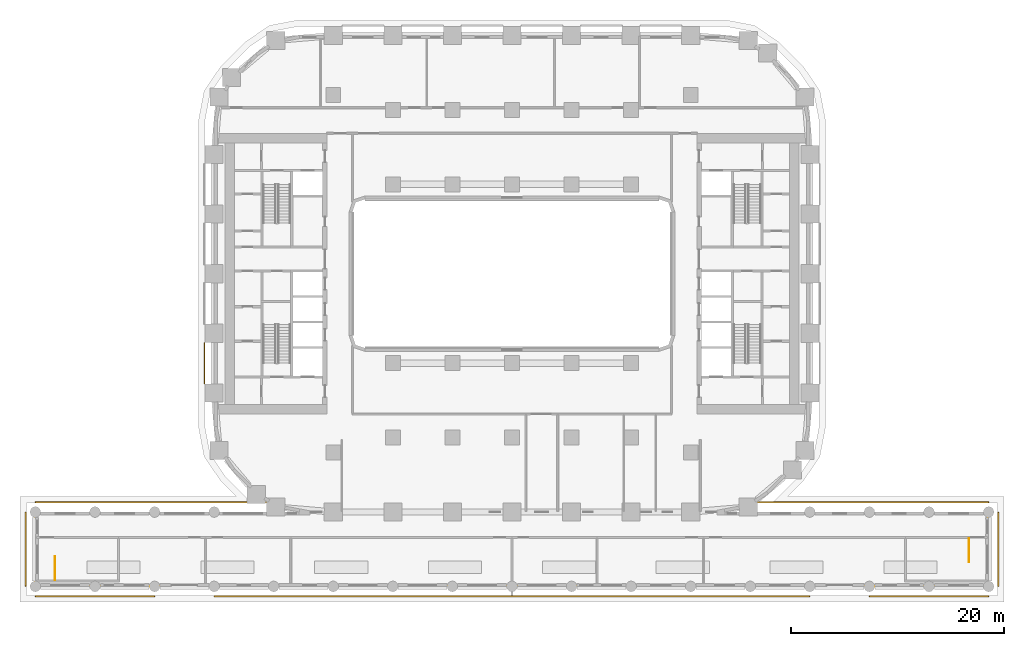
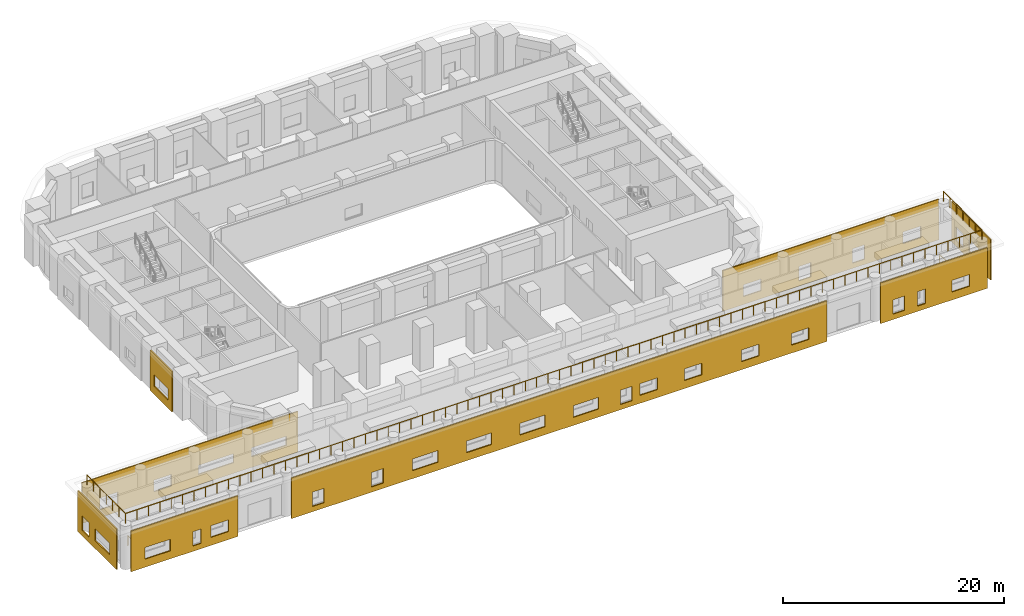
# One storey, part 9 of 13: 8 coverings, 3 railings.
"""IFC4 building model written with IfcOpenShell, lengths in metres."""

from ifc_helpers import new_model, si_unit, direction, frame, origin, origin_2d, place, context, subcontext, project, spatial, polyline, circle, outline, extrude, material, layer, layer_set, type_object, element, save


model = new_model("IFC4")

# Units and contexts
model_context = context("Model", 3, precision=1e-05, world=origin(), true_north=direction((0.0, 1.0)))
body_context = subcontext(model_context, "Body", "Model", "MODEL_VIEW")
ifc_project = project(units=[si_unit("LENGTHUNIT", "METRE"), si_unit("AREAUNIT", "SQUARE_METRE"), si_unit("VOLUMEUNIT", "CUBIC_METRE"), si_unit("PLANEANGLEUNIT", "RADIAN"), si_unit("MASSUNIT", "GRAM", prefix="KILO")], contexts=[model_context])

# Site, building, storey
site_placement = place(None, origin())
site = spatial("IfcSite", under=ifc_project, at=site_placement, CompositionType="ELEMENT")
building_placement = place(site_placement, origin())
building = spatial("IfcBuilding", under=site, at=building_placement, Name="Kiln Ring Residences", CompositionType="ELEMENT")
storey_placement = place(building_placement, frame((0.0, 0.0, 25.699951171875)))
storey = spatial("IfcBuildingStorey", under=building, at=storey_placement, Name="L05", CompositionType="ELEMENT", Elevation=25.699951171875)

# Railings
ifc_material_1 = material(Name="Stainless steel", Category="steel")
railing_type_1 = type_object("IfcRailingType", Name="PODIUM-STAIR-GUARD", PredefinedType="GUARDRAIL", material=ifc_material_1)
railing_1_placement = place(storey_placement, frame((-42.949951171875, -28.800048828125, 0.0)))
element("IfcRailing", 1, at=railing_1_placement, inside=storey, type_object=railing_type_1, Name="L05 PS-W top well guard 1", PredefinedType="GUARDRAIL", context=body_context, shape_type="SweptSolid", body=[
    extrude(circle(Radius=0.02392578125, at=origin_2d()), frame((0.0, 0.0, 1.076171875), z_axis=(0.0, 1.0, 0.0), x_axis=(-1.0, 0.0, 0.0)), (0.0, 0.0, 1.0), 2.199951171875),
    extrude(circle(Radius=0.02099609375, at=origin_2d()), origin(), (0.0, 0.0, 1.0), 1.052001953125),
    extrude(circle(Radius=0.02099609375, at=origin_2d()), frame((0.0, 1.10009765625, 0.0)), (0.0, 0.0, 1.0), 1.052001953125),
    extrude(circle(Radius=0.02099609375, at=origin_2d()), frame((0.0, 2.199951171875, 0.0)), (0.0, 0.0, 1.0), 1.052001953125),
])
railing_2_placement = place(storey_placement, frame((42.949951171875, -24.89990234375, 0.0)))
element("IfcRailing", 2, at=railing_2_placement, inside=storey, type_object=railing_type_1, Name="L05 PS-E top well guard 1", PredefinedType="GUARDRAIL", context=body_context, shape_type="SweptSolid", body=[
    extrude(circle(Radius=0.02392578125, at=origin_2d()), frame((0.0, 0.0, 1.076171875), z_axis=(0.0, -1.0, 0.0), x_axis=(1.0, 0.0, 0.0)), (0.0, 0.0, 1.0), 2.2001953125),
    extrude(circle(Radius=0.02099609375, at=origin_2d()), origin(), (0.0, 0.0, 1.0), 1.052001953125),
    extrude(circle(Radius=0.02099609375, at=origin_2d()), frame((0.0, -1.10009765625, 0.0)), (0.0, 0.0, 1.0), 1.052001953125),
    extrude(circle(Radius=0.02099609375, at=origin_2d()), frame((0.0, -2.2001953125, 0.0)), (0.0, 0.0, 1.0), 1.052001953125),
])

# Coverings
ifc_material_2 = material(Name="Brick masonry, dark clay brick", Category="masonry")
ifc_layer = layer(ifc_material_2, 0.1201171875)
ifc_layer_set = layer_set([ifc_layer], Name="RAINSCREEN PANEL 120")
covering_type = type_object("IfcCoveringType", Name="RAINSCREEN PANEL 120", PredefinedType="CLADDING", material=ifc_layer_set)
covering_1_placement = place(storey_placement, frame((45.7099609375, -29.39990234375, 0.0), z_axis=(0.0, 0.0, 1.0), x_axis=(0.0, 1.0, 0.0)))
element("IfcCovering", 3, at=covering_1_placement, inside=storey, type_object=covering_type, Name="RAINSCREEN L05", PredefinedType="CLADDING", context=body_context, shape_type="SweptSolid", body=[
    extrude(outline(polyline([(0.0, 0.0), (7.0, 0.0), (7.0, 4.5), (0.0, 4.5), (0.0, 0.0)]), holes=[polyline([(6.20751953125, 2.170166015625), (4.967529296875, 2.170166015625), (4.967529296875, 0.580078125), (6.20751953125, 0.580078125), (6.20751953125, 2.170166015625)]), polyline([(3.8701171875, 2.170166015625), (1.22998046875, 2.170166015625), (1.22998046875, 0.880126953125), (3.8701171875, 0.880126953125), (3.8701171875, 2.170166015625)])]), frame((0.0, 0.06005859375, 0.0), z_axis=(0.0, -1.0, 0.0), x_axis=(1.0, 0.0, 0.0)), (0.0, 0.0, 1.0), 0.1201171875),
])
covering_2_placement = place(storey_placement, frame((44.800048828125, -21.489990234375, 0.0), z_axis=(0.0, 0.0, 1.0), x_axis=(-1.0, 0.0, 0.0)))
element("IfcCovering", 4, at=covering_2_placement, inside=storey, type_object=covering_type, Name="RAINSCREEN L05", PredefinedType="CLADDING", context=body_context, shape_type="SweptSolid", body=[
    extrude(outline(polyline([(0.0, 0.0), (22.59130859375, 0.0), (22.59130859375, 4.5), (0.0, 4.5), (0.0, 0.0)]), holes=[polyline([(9.02001953125, 0.580078125), (9.02001953125, 2.170166015625), (7.780029296875, 2.170166015625), (7.780029296875, 0.580078125), (9.02001953125, 0.580078125)]), polyline([(14.6201171875, 0.580078125), (14.6201171875, 2.170166015625), (13.3798828125, 2.170166015625), (13.3798828125, 0.580078125), (14.6201171875, 0.580078125)]), polyline([(3.719970703125, 0.880126953125), (3.719970703125, 2.170166015625), (1.8798828125, 2.170166015625), (1.8798828125, 0.880126953125), (3.719970703125, 0.880126953125)]), polyline([(20.440673828125, 0.880126953125), (20.440673828125, 2.170166015625), (18.6005859375, 2.170166015625), (18.6005859375, 0.880126953125), (20.440673828125, 0.880126953125)])]), frame((0.0, 0.06005859375, 0.0), z_axis=(0.0, -1.0, 0.0), x_axis=(1.0, 0.0, 0.0)), (0.0, 0.0, 1.0), 0.1201171875),
])
covering_3_placement = place(storey_placement, frame((-28.909912109375, -6.449951171875, 0.0), z_axis=(0.0, 0.0, 1.0), x_axis=(0.0, -1.0, 0.0)))
element("IfcCovering", 5, at=covering_3_placement, inside=storey, type_object=covering_type, Name="RAINSCREEN L05", PredefinedType="CLADDING", context=body_context, shape_type="SweptSolid", body=[
    extrude(outline(polyline([(0.0, 0.0), (3.89990234375, 0.0), (3.89990234375, 4.5), (0.0, 4.5), (0.0, 0.0)]), holes=[polyline([(0.64990234375, 2.150146484375), (0.64990234375, 0.900146484375), (3.25, 0.900146484375), (3.25, 2.150146484375), (0.64990234375, 2.150146484375)])]), frame((0.0, 0.06005859375, 0.0), z_axis=(0.0, -1.0, 0.0), x_axis=(1.0, 0.0, 0.0)), (0.0, 0.0, 1.0), 0.1201171875),
])
covering_4_placement = place(storey_placement, frame((-22.208740234375, -21.489990234375, 0.0), z_axis=(0.0, 0.0, 1.0), x_axis=(-1.0, 0.0, 0.0)))
element("IfcCovering", 6, at=covering_4_placement, inside=storey, type_object=covering_type, Name="RAINSCREEN L05", PredefinedType="CLADDING", context=body_context, shape_type="SweptSolid", body=[
    extrude(outline(polyline([(0.0, 0.0), (22.59130859375, 0.0), (22.59130859375, 4.5), (0.0, 4.5), (0.0, 0.0)]), holes=[polyline([(15.111328125, 0.880126953125), (15.111328125, 2.170166015625), (13.271240234375, 2.170166015625), (13.271240234375, 0.880126953125), (15.111328125, 0.880126953125)]), polyline([(20.711181640625, 0.880126953125), (20.711181640625, 2.170166015625), (18.871337890625, 2.170166015625), (18.871337890625, 0.880126953125), (20.711181640625, 0.880126953125)]), polyline([(4.890625, 1.179931640625), (4.890625, 2.170166015625), (1.25048828125, 2.170166015625), (1.25048828125, 1.179931640625), (4.890625, 1.179931640625)]), polyline([(10.411376953125, 1.179931640625), (10.411376953125, 2.170166015625), (6.771240234375, 2.170166015625), (6.771240234375, 1.179931640625), (10.411376953125, 1.179931640625)])]), frame((0.0, 0.06005859375, 0.0), z_axis=(0.0, -1.0, 0.0), x_axis=(1.0, 0.0, 0.0)), (0.0, 0.0, 1.0), 0.1201171875),
])
covering_5_placement = place(storey_placement, frame((-45.7099609375, -22.39990234375, 0.0), z_axis=(0.0, 0.0, 1.0), x_axis=(0.0, -1.0, 0.0)))
element("IfcCovering", 7, at=covering_5_placement, inside=storey, type_object=covering_type, Name="RAINSCREEN L05", PredefinedType="CLADDING", context=body_context, shape_type="SweptSolid", body=[
    extrude(outline(polyline([(0.0, 0.0), (7.0, 0.0), (7.0, 4.5), (0.0, 4.5), (0.0, 0.0)]), holes=[polyline([(2.032470703125, 2.170166015625), (0.79248046875, 2.170166015625), (0.79248046875, 0.580078125), (2.032470703125, 0.580078125), (2.032470703125, 2.170166015625)]), polyline([(5.77001953125, 2.170166015625), (3.1298828125, 2.170166015625), (3.1298828125, 0.880126953125), (5.77001953125, 0.880126953125), (5.77001953125, 2.170166015625)])]), frame((0.0, 0.06005859375, 0.0), z_axis=(0.0, -1.0, 0.0), x_axis=(1.0, 0.0, 0.0)), (0.0, 0.0, 1.0), 0.1201171875),
])
covering_6_placement = place(storey_placement, frame((-44.800048828125, -30.31005859375, 0.0), z_axis=(0.0, 0.0, 1.0), x_axis=(1.0, 0.0, 0.0)))
element("IfcCovering", 8, at=covering_6_placement, inside=storey, type_object=covering_type, Name="RAINSCREEN L05", PredefinedType="CLADDING", context=body_context, shape_type="SweptSolid", body=[
    extrude(outline(polyline([(0.0, 0.0), (11.199951171875, 0.0), (11.199951171875, 4.5), (0.0, 4.5), (0.0, 0.0)]), holes=[polyline([(7.33251953125, 2.170166015625), (6.492431640625, 2.170166015625), (6.492431640625, 0.580078125), (7.33251953125, 0.580078125), (7.33251953125, 2.170166015625)]), polyline([(4.1201171875, 0.880126953125), (4.1201171875, 2.170166015625), (1.47998046875, 2.170166015625), (1.47998046875, 0.880126953125), (4.1201171875, 0.880126953125)]), polyline([(10.20751953125, 0.880126953125), (10.20751953125, 2.170166015625), (8.367431640625, 2.170166015625), (8.367431640625, 0.880126953125), (10.20751953125, 0.880126953125)])]), frame((0.0, 0.06005859375, 0.0), z_axis=(0.0, -1.0, 0.0), x_axis=(1.0, 0.0, 0.0)), (0.0, 0.0, 1.0), 0.1201171875),
])
covering_7_placement = place(storey_placement, frame((-28.0, -30.31005859375, 0.0), z_axis=(0.0, 0.0, 1.0), x_axis=(1.0, 0.0, 0.0)))
element("IfcCovering", 9, at=covering_7_placement, inside=storey, type_object=covering_type, Name="RAINSCREEN L05", PredefinedType="CLADDING", context=body_context, shape_type="SweptSolid", body=[
    extrude(outline(polyline([(0.0, 0.0), (56.0, 0.0), (56.0, 4.5), (0.0, 4.5), (0.0, 0.0)]), holes=[polyline([(2.179931640625, 0.580078125), (3.419921875, 0.580078125), (3.419921875, 2.170166015625), (2.179931640625, 2.170166015625), (2.179931640625, 0.580078125)]), polyline([(8.367431640625, 0.580078125), (9.607421875, 0.580078125), (9.607421875, 2.170166015625), (8.367431640625, 2.170166015625), (8.367431640625, 0.580078125)]), polyline([(12.679931640625, 0.880126953125), (15.320068359375, 0.880126953125), (15.320068359375, 2.170166015625), (12.679931640625, 2.170166015625), (12.679931640625, 0.880126953125)]), polyline([(18.280029296875, 2.170166015625), (18.280029296875, 0.880126953125), (20.919921875, 0.880126953125), (20.919921875, 2.170166015625), (18.280029296875, 2.170166015625)]), polyline([(23.8798828125, 2.170166015625), (23.8798828125, 0.880126953125), (26.52001953125, 0.880126953125), (26.52001953125, 2.170166015625), (23.8798828125, 2.170166015625)]), polyline([(29.47998046875, 0.880126953125), (32.1201171875, 0.880126953125), (32.1201171875, 2.170166015625), (29.47998046875, 2.170166015625), (29.47998046875, 0.880126953125)]), polyline([(34.392578125, 2.170166015625), (34.392578125, 0.580078125), (35.632568359375, 0.580078125), (35.632568359375, 2.170166015625), (34.392578125, 2.170166015625)]), polyline([(36.467529296875, 2.170166015625), (36.467529296875, 0.880126953125), (38.3076171875, 0.880126953125), (38.3076171875, 2.170166015625), (36.467529296875, 2.170166015625)]), polyline([(41.080078125, 0.880126953125), (42.919921875, 0.880126953125), (42.919921875, 2.170166015625), (41.080078125, 2.170166015625), (41.080078125, 0.880126953125)]), polyline([(47.0673828125, 2.170166015625), (47.0673828125, 0.880126953125), (48.907470703125, 0.880126953125), (48.907470703125, 2.170166015625), (47.0673828125, 2.170166015625)]), polyline([(52.280029296875, 2.170166015625), (52.280029296875, 0.880126953125), (54.1201171875, 0.880126953125), (54.1201171875, 2.170166015625), (52.280029296875, 2.170166015625)])]), frame((0.0, 0.06005859375, 0.0), z_axis=(0.0, -1.0, 0.0), x_axis=(1.0, 0.0, 0.0)), (0.0, 0.0, 1.0), 0.1201171875),
])
covering_8_placement = place(storey_placement, frame((33.60009765625, -30.31005859375, 0.0), z_axis=(0.0, 0.0, 1.0), x_axis=(1.0, 0.0, 0.0)))
element("IfcCovering", 10, at=covering_8_placement, inside=storey, type_object=covering_type, Name="RAINSCREEN L05", PredefinedType="CLADDING", context=body_context, shape_type="SweptSolid", body=[
    extrude(outline(polyline([(0.0, 0.0), (11.199951171875, 0.0), (11.199951171875, 4.5), (0.0, 4.5), (0.0, 0.0)]), holes=[polyline([(2.532470703125, 2.170166015625), (1.29248046875, 2.170166015625), (1.29248046875, 0.580078125), (2.532470703125, 0.580078125), (2.532470703125, 2.170166015625)]), polyline([(4.70751953125, 0.580078125), (4.70751953125, 2.170166015625), (3.867431640625, 2.170166015625), (3.867431640625, 0.580078125), (4.70751953125, 0.580078125)]), polyline([(9.320068359375, 0.880126953125), (9.320068359375, 2.170166015625), (7.47998046875, 2.170166015625), (7.47998046875, 0.880126953125), (9.320068359375, 0.880126953125)])]), frame((0.0, 0.06005859375, 0.0), z_axis=(0.0, -1.0, 0.0), x_axis=(1.0, 0.0, 0.0)), (0.0, 0.0, 1.0), 0.1201171875),
])

# Railing
ifc_material_3 = material(Name="Black powder-coated steel", Category="steel")
railing_type_2 = type_object("IfcRailingType", Name="TERRACE GUARD 1100", PredefinedType="GUARDRAIL", material=ifc_material_3)
railing_3_placement = place(storey_placement, frame((-44.800048828125, -22.39990234375, 4.800048828125)))
element("IfcRailing", 11, at=railing_3_placement, inside=storey, type_object=railing_type_2, Name="GUARD terrace L05", PredefinedType="GUARDRAIL", context=body_context, shape_type="SweptSolid", body=[
    extrude(circle(Radius=0.02392578125, at=origin_2d()), frame((0.0, 0.0, 1.076171875), z_axis=(0.0, -1.0, 0.0), x_axis=(1.0, 0.0, 0.0)), (0.0, 0.0, 1.0), 7.0),
    extrude(circle(Radius=0.02392578125, at=origin_2d()), frame((0.0, -7.0, 1.076171875), z_axis=(1.0, 0.0, 0.0), x_axis=(0.0, 1.0, 0.0)), (0.0, 0.0, 1.0), 89.60009765625),
    extrude(circle(Radius=0.02392578125, at=origin_2d()), frame((89.60009765625, -7.0, 1.076171875), z_axis=(0.0, 1.0, 0.0), x_axis=(-1.0, 0.0, 0.0)), (0.0, 0.0, 1.0), 7.0),
    extrude(circle(Radius=0.02099609375, at=origin_2d()), origin(), (0.0, 0.0, 1.0), 1.052001953125),
    extrude(circle(Radius=0.02099609375, at=origin_2d()), frame((0.0, -1.166748046875, 0.0)), (0.0, 0.0, 1.0), 1.052001953125),
    extrude(circle(Radius=0.02099609375, at=origin_2d()), frame((0.0, -2.333251953125, 0.0)), (0.0, 0.0, 1.0), 1.052001953125),
    extrude(circle(Radius=0.02099609375, at=origin_2d()), frame((0.0, -3.5, 0.0)), (0.0, 0.0, 1.0), 1.052001953125),
    extrude(circle(Radius=0.02099609375, at=origin_2d()), frame((0.0, -4.666748046875, 0.0)), (0.0, 0.0, 1.0), 1.052001953125),
    extrude(circle(Radius=0.02099609375, at=origin_2d()), frame((0.0, -5.833251953125, 0.0)), (0.0, 0.0, 1.0), 1.052001953125),
    extrude(circle(Radius=0.02099609375, at=origin_2d()), frame((0.0, -7.0, 0.0)), (0.0, 0.0, 1.0), 1.052001953125),
    extrude(circle(Radius=0.02099609375, at=origin_2d()), frame((1.194580078125, -7.0, 0.0)), (0.0, 0.0, 1.0), 1.052001953125),
    extrude(circle(Radius=0.02099609375, at=origin_2d()), frame((2.389404296875, -7.0, 0.0)), (0.0, 0.0, 1.0), 1.052001953125),
    extrude(circle(Radius=0.02099609375, at=origin_2d()), frame((3.583984375, -7.0, 0.0)), (0.0, 0.0, 1.0), 1.052001953125),
    extrude(circle(Radius=0.02099609375, at=origin_2d()), frame((4.778564453125, -7.0, 0.0)), (0.0, 0.0, 1.0), 1.052001953125),
    extrude(circle(Radius=0.02099609375, at=origin_2d()), frame((5.973388671875, -7.0, 0.0)), (0.0, 0.0, 1.0), 1.052001953125),
    extrude(circle(Radius=0.02099609375, at=origin_2d()), frame((7.16796875, -7.0, 0.0)), (0.0, 0.0, 1.0), 1.052001953125),
    extrude(circle(Radius=0.02099609375, at=origin_2d()), frame((8.36279296875, -7.0, 0.0)), (0.0, 0.0, 1.0), 1.052001953125),
    extrude(circle(Radius=0.02099609375, at=origin_2d()), frame((9.557373046875, -7.0, 0.0)), (0.0, 0.0, 1.0), 1.052001953125),
    extrude(circle(Radius=0.02099609375, at=origin_2d()), frame((10.751953125, -7.0, 0.0)), (0.0, 0.0, 1.0), 1.052001953125),
    extrude(circle(Radius=0.02099609375, at=origin_2d()), frame((11.94677734375, -7.0, 0.0)), (0.0, 0.0, 1.0), 1.052001953125),
    extrude(circle(Radius=0.02099609375, at=origin_2d()), frame((13.141357421875, -7.0, 0.0)), (0.0, 0.0, 1.0), 1.052001953125),
    extrude(circle(Radius=0.02099609375, at=origin_2d()), frame((14.3359375, -7.0, 0.0)), (0.0, 0.0, 1.0), 1.052001953125),
    extrude(circle(Radius=0.02099609375, at=origin_2d()), frame((15.53076171875, -7.0, 0.0)), (0.0, 0.0, 1.0), 1.052001953125),
    extrude(circle(Radius=0.02099609375, at=origin_2d()), frame((16.725341796875, -7.0, 0.0)), (0.0, 0.0, 1.0), 1.052001953125),
    extrude(circle(Radius=0.02099609375, at=origin_2d()), frame((17.919921875, -7.0, 0.0)), (0.0, 0.0, 1.0), 1.052001953125),
    extrude(circle(Radius=0.02099609375, at=origin_2d()), frame((19.11474609375, -7.0, 0.0)), (0.0, 0.0, 1.0), 1.052001953125),
    extrude(circle(Radius=0.02099609375, at=origin_2d()), frame((20.309326171875, -7.0, 0.0)), (0.0, 0.0, 1.0), 1.052001953125),
    extrude(circle(Radius=0.02099609375, at=origin_2d()), frame((21.50390625, -7.0, 0.0)), (0.0, 0.0, 1.0), 1.052001953125),
    extrude(circle(Radius=0.02099609375, at=origin_2d()), frame((22.69873046875, -7.0, 0.0)), (0.0, 0.0, 1.0), 1.052001953125),
    extrude(circle(Radius=0.02099609375, at=origin_2d()), frame((23.893310546875, -7.0, 0.0)), (0.0, 0.0, 1.0), 1.052001953125),
    extrude(circle(Radius=0.02099609375, at=origin_2d()), frame((25.088134765625, -7.0, 0.0)), (0.0, 0.0, 1.0), 1.052001953125),
    extrude(circle(Radius=0.02099609375, at=origin_2d()), frame((26.28271484375, -7.0, 0.0)), (0.0, 0.0, 1.0), 1.052001953125),
    extrude(circle(Radius=0.02099609375, at=origin_2d()), frame((27.477294921875, -7.0, 0.0)), (0.0, 0.0, 1.0), 1.052001953125),
    extrude(circle(Radius=0.02099609375, at=origin_2d()), frame((28.672119140625, -7.0, 0.0)), (0.0, 0.0, 1.0), 1.052001953125),
    extrude(circle(Radius=0.02099609375, at=origin_2d()), frame((29.86669921875, -7.0, 0.0)), (0.0, 0.0, 1.0), 1.052001953125),
    extrude(circle(Radius=0.02099609375, at=origin_2d()), frame((31.061279296875, -7.0, 0.0)), (0.0, 0.0, 1.0), 1.052001953125),
    extrude(circle(Radius=0.02099609375, at=origin_2d()), frame((32.256103515625, -7.0, 0.0)), (0.0, 0.0, 1.0), 1.052001953125),
    extrude(circle(Radius=0.02099609375, at=origin_2d()), frame((33.45068359375, -7.0, 0.0)), (0.0, 0.0, 1.0), 1.052001953125),
    extrude(circle(Radius=0.02099609375, at=origin_2d()), frame((34.645263671875, -7.0, 0.0)), (0.0, 0.0, 1.0), 1.052001953125),
    extrude(circle(Radius=0.02099609375, at=origin_2d()), frame((35.840087890625, -7.0, 0.0)), (0.0, 0.0, 1.0), 1.052001953125),
    extrude(circle(Radius=0.02099609375, at=origin_2d()), frame((37.03466796875, -7.0, 0.0)), (0.0, 0.0, 1.0), 1.052001953125),
    extrude(circle(Radius=0.02099609375, at=origin_2d()), frame((38.2294921875, -7.0, 0.0)), (0.0, 0.0, 1.0), 1.052001953125),
    extrude(circle(Radius=0.02099609375, at=origin_2d()), frame((39.424072265625, -7.0, 0.0)), (0.0, 0.0, 1.0), 1.052001953125),
    extrude(circle(Radius=0.02099609375, at=origin_2d()), frame((40.61865234375, -7.0, 0.0)), (0.0, 0.0, 1.0), 1.052001953125),
    extrude(circle(Radius=0.02099609375, at=origin_2d()), frame((41.8134765625, -7.0, 0.0)), (0.0, 0.0, 1.0), 1.052001953125),
    extrude(circle(Radius=0.02099609375, at=origin_2d()), frame((43.008056640625, -7.0, 0.0)), (0.0, 0.0, 1.0), 1.052001953125),
    extrude(circle(Radius=0.02099609375, at=origin_2d()), frame((44.20263671875, -7.0, 0.0)), (0.0, 0.0, 1.0), 1.052001953125),
    extrude(circle(Radius=0.02099609375, at=origin_2d()), frame((45.3974609375, -7.0, 0.0)), (0.0, 0.0, 1.0), 1.052001953125),
    extrude(circle(Radius=0.02099609375, at=origin_2d()), frame((46.592041015625, -7.0, 0.0)), (0.0, 0.0, 1.0), 1.052001953125),
    extrude(circle(Radius=0.02099609375, at=origin_2d()), frame((47.78662109375, -7.0, 0.0)), (0.0, 0.0, 1.0), 1.052001953125),
    extrude(circle(Radius=0.02099609375, at=origin_2d()), frame((48.9814453125, -7.0, 0.0)), (0.0, 0.0, 1.0), 1.052001953125),
    extrude(circle(Radius=0.02099609375, at=origin_2d()), frame((50.176025390625, -7.0, 0.0)), (0.0, 0.0, 1.0), 1.052001953125),
    extrude(circle(Radius=0.02099609375, at=origin_2d()), frame((51.37060546875, -7.0, 0.0)), (0.0, 0.0, 1.0), 1.052001953125),
    extrude(circle(Radius=0.02099609375, at=origin_2d()), frame((52.5654296875, -7.0, 0.0)), (0.0, 0.0, 1.0), 1.052001953125),
    extrude(circle(Radius=0.02099609375, at=origin_2d()), frame((53.760009765625, -7.0, 0.0)), (0.0, 0.0, 1.0), 1.052001953125),
    extrude(circle(Radius=0.02099609375, at=origin_2d()), frame((54.954833984375, -7.0, 0.0)), (0.0, 0.0, 1.0), 1.052001953125),
    extrude(circle(Radius=0.02099609375, at=origin_2d()), frame((56.1494140625, -7.0, 0.0)), (0.0, 0.0, 1.0), 1.052001953125),
    extrude(circle(Radius=0.02099609375, at=origin_2d()), frame((57.343994140625, -7.0, 0.0)), (0.0, 0.0, 1.0), 1.052001953125),
    extrude(circle(Radius=0.02099609375, at=origin_2d()), frame((58.538818359375, -7.0, 0.0)), (0.0, 0.0, 1.0), 1.052001953125),
    extrude(circle(Radius=0.02099609375, at=origin_2d()), frame((59.7333984375, -7.0, 0.0)), (0.0, 0.0, 1.0), 1.052001953125),
    extrude(circle(Radius=0.02099609375, at=origin_2d()), frame((60.927978515625, -7.0, 0.0)), (0.0, 0.0, 1.0), 1.052001953125),
    extrude(circle(Radius=0.02099609375, at=origin_2d()), frame((62.122802734375, -7.0, 0.0)), (0.0, 0.0, 1.0), 1.052001953125),
    extrude(circle(Radius=0.02099609375, at=origin_2d()), frame((63.3173828125, -7.0, 0.0)), (0.0, 0.0, 1.0), 1.052001953125),
    extrude(circle(Radius=0.02099609375, at=origin_2d()), frame((64.511962890625, -7.0, 0.0)), (0.0, 0.0, 1.0), 1.052001953125),
    extrude(circle(Radius=0.02099609375, at=origin_2d()), frame((65.706787109375, -7.0, 0.0)), (0.0, 0.0, 1.0), 1.052001953125),
    extrude(circle(Radius=0.02099609375, at=origin_2d()), frame((66.9013671875, -7.0, 0.0)), (0.0, 0.0, 1.0), 1.052001953125),
    extrude(circle(Radius=0.02099609375, at=origin_2d()), frame((68.09619140625, -7.0, 0.0)), (0.0, 0.0, 1.0), 1.052001953125),
    extrude(circle(Radius=0.02099609375, at=origin_2d()), frame((69.290771484375, -7.0, 0.0)), (0.0, 0.0, 1.0), 1.052001953125),
    extrude(circle(Radius=0.02099609375, at=origin_2d()), frame((70.4853515625, -7.0, 0.0)), (0.0, 0.0, 1.0), 1.052001953125),
    extrude(circle(Radius=0.02099609375, at=origin_2d()), frame((71.68017578125, -7.0, 0.0)), (0.0, 0.0, 1.0), 1.052001953125),
    extrude(circle(Radius=0.02099609375, at=origin_2d()), frame((72.874755859375, -7.0, 0.0)), (0.0, 0.0, 1.0), 1.052001953125),
    extrude(circle(Radius=0.02099609375, at=origin_2d()), frame((74.0693359375, -7.0, 0.0)), (0.0, 0.0, 1.0), 1.052001953125),
    extrude(circle(Radius=0.02099609375, at=origin_2d()), frame((75.26416015625, -7.0, 0.0)), (0.0, 0.0, 1.0), 1.052001953125),
    extrude(circle(Radius=0.02099609375, at=origin_2d()), frame((76.458740234375, -7.0, 0.0)), (0.0, 0.0, 1.0), 1.052001953125),
    extrude(circle(Radius=0.02099609375, at=origin_2d()), frame((77.6533203125, -7.0, 0.0)), (0.0, 0.0, 1.0), 1.052001953125),
    extrude(circle(Radius=0.02099609375, at=origin_2d()), frame((78.84814453125, -7.0, 0.0)), (0.0, 0.0, 1.0), 1.052001953125),
    extrude(circle(Radius=0.02099609375, at=origin_2d()), frame((80.042724609375, -7.0, 0.0)), (0.0, 0.0, 1.0), 1.052001953125),
    extrude(circle(Radius=0.02099609375, at=origin_2d()), frame((81.2373046875, -7.0, 0.0)), (0.0, 0.0, 1.0), 1.052001953125),
    extrude(circle(Radius=0.02099609375, at=origin_2d()), frame((82.43212890625, -7.0, 0.0)), (0.0, 0.0, 1.0), 1.052001953125),
    extrude(circle(Radius=0.02099609375, at=origin_2d()), frame((83.626708984375, -7.0, 0.0)), (0.0, 0.0, 1.0), 1.052001953125),
    extrude(circle(Radius=0.02099609375, at=origin_2d()), frame((84.821533203125, -7.0, 0.0)), (0.0, 0.0, 1.0), 1.052001953125),
    extrude(circle(Radius=0.02099609375, at=origin_2d()), frame((86.01611328125, -7.0, 0.0)), (0.0, 0.0, 1.0), 1.052001953125),
    extrude(circle(Radius=0.02099609375, at=origin_2d()), frame((87.210693359375, -7.0, 0.0)), (0.0, 0.0, 1.0), 1.052001953125),
    extrude(circle(Radius=0.02099609375, at=origin_2d()), frame((88.405517578125, -7.0, 0.0)), (0.0, 0.0, 1.0), 1.052001953125),
    extrude(circle(Radius=0.02099609375, at=origin_2d()), frame((89.60009765625, -7.0, 0.0)), (0.0, 0.0, 1.0), 1.052001953125),
    extrude(circle(Radius=0.02099609375, at=origin_2d()), frame((89.60009765625, -5.833251953125, 0.0)), (0.0, 0.0, 1.0), 1.052001953125),
    extrude(circle(Radius=0.02099609375, at=origin_2d()), frame((89.60009765625, -4.666748046875, 0.0)), (0.0, 0.0, 1.0), 1.052001953125),
    extrude(circle(Radius=0.02099609375, at=origin_2d()), frame((89.60009765625, -3.5, 0.0)), (0.0, 0.0, 1.0), 1.052001953125),
    extrude(circle(Radius=0.02099609375, at=origin_2d()), frame((89.60009765625, -2.333251953125, 0.0)), (0.0, 0.0, 1.0), 1.052001953125),
    extrude(circle(Radius=0.02099609375, at=origin_2d()), frame((89.60009765625, -1.166748046875, 0.0)), (0.0, 0.0, 1.0), 1.052001953125),
    extrude(circle(Radius=0.02099609375, at=origin_2d()), frame((89.60009765625, 0.0, 0.0)), (0.0, 0.0, 1.0), 1.052001953125),
])

save(model, "model.ifc")
